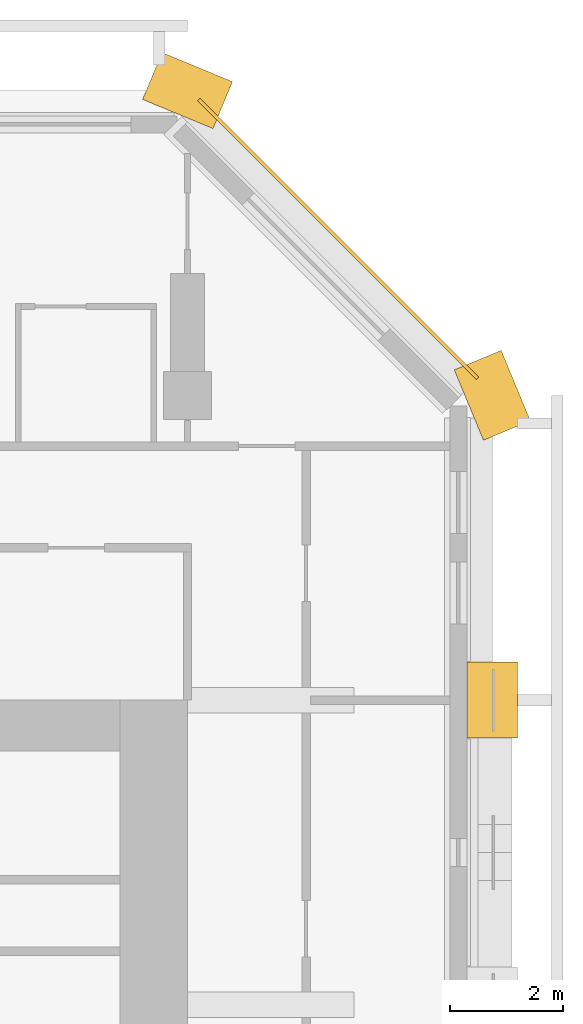
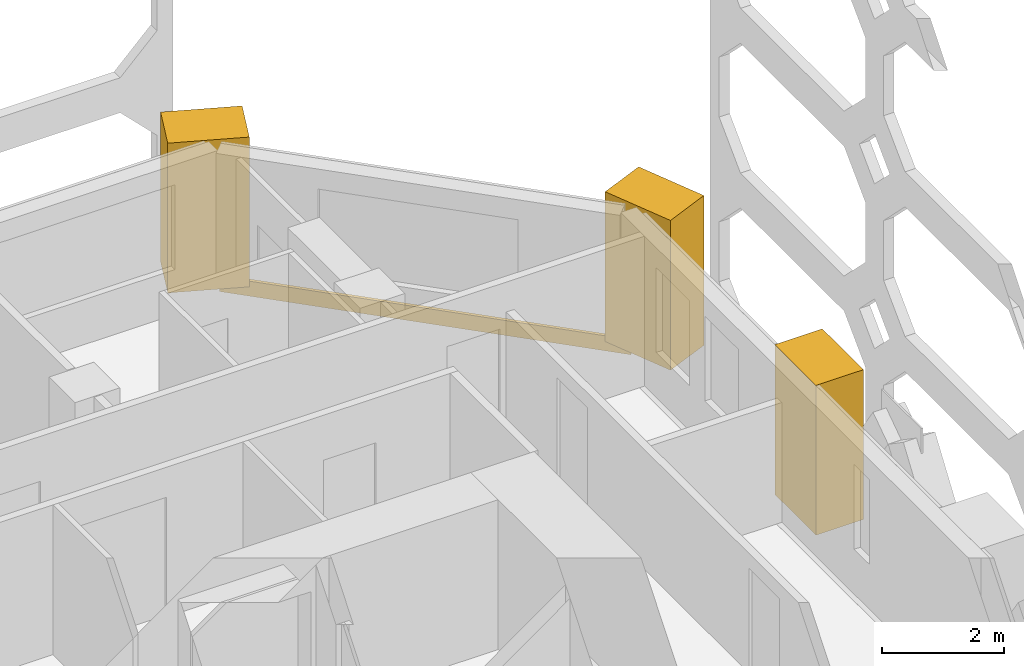
# One storey, part 16 of 16: 4 coverings.
"""IFC4 building model written with IfcOpenShell, lengths in metres."""

import ifcopenshell
import ifcopenshell.guid

model = None  # the IFC model being written
_history = None  # IfcOwnerHistory: only IFC2X3 demands one
_inside = {}  # id of a spatial element -> (the spatial element, [elements in it])
_under = {}  # id of a project, library or spatial element -> (it, [spatial elements below it])
_declared = {}  # id of a project -> (the project, [libraries it declares])
_typed = {}  # id of a type object -> (the type object, [elements of that type])
_made_of = {}  # id of a material, layer set ... -> (it, [elements and type objects made of it])


def new_model(schema):
    """Start an empty IFC model of exactly this schema.

    Asked for "IFC4X3", IfcOpenShell would pick the latest addendum, in which some entities
    have other attributes; the version numbers below select the first issue.
    IFC2X3 requires an IfcOwnerHistory on every rooted entity: one is made here for all.
    """
    global model, _history
    if schema == "IFC4X3":
        model = ifcopenshell.file(schema_version=(4, 3, 0, 0))
    else:
        model = ifcopenshell.file(schema=schema)
    _inside.clear()
    _under.clear()
    _declared.clear()
    _typed.clear()
    _made_of.clear()
    _history = None
    if model.schema == "IFC2X3":
        org = make("IfcOrganization", Name="unknown")
        user = make(
            "IfcPersonAndOrganization",
            ThePerson=make("IfcPerson", FamilyName="unknown"),
            TheOrganization=org,
        )
        app = make(
            "IfcApplication",
            ApplicationDeveloper=org,
            Version="unknown",
            ApplicationFullName="unknown",
            ApplicationIdentifier="unknown",
        )
        _history = make(
            "IfcOwnerHistory",
            OwningUser=user,
            OwningApplication=app,
            ChangeAction="ADDED",
            CreationDate=0,
        )
    return model


def make(cls, **values):
    """One entity of the class cls with the attributes given. An attribute that is None is left unset."""
    return model.create_entity(
        cls, **{name: value for name, value in values.items() if value is not None}
    )


def rooted(cls, **values):
    """An entity with a GlobalId (a new one), such as an element, a storey or a relation."""
    return make(cls, GlobalId=ifcopenshell.guid.new(), OwnerHistory=_history, **values)


def si_unit(unit_type, name, prefix=None):
    """IfcSIUnit, for example si_unit("LENGTHUNIT", "METRE", prefix="MILLI")."""
    return make("IfcSIUnit", UnitType=unit_type, Prefix=prefix, Name=name)


def assignment(units):
    """IfcUnitAssignment: the units of a project."""
    return None if units is None else make("IfcUnitAssignment", Units=units)


def point(xyz):
    """IfcCartesianPoint."""
    return None if xyz is None else make("IfcCartesianPoint", Coordinates=xyz)


def direction(xyz):
    """IfcDirection."""
    return None if xyz is None else make("IfcDirection", DirectionRatios=xyz)


def frame(location, z_axis=None, x_axis=None):
    """IfcAxis2Placement3D, a coordinate frame: its origin and axes. An axis left out is left unset."""
    return make(
        "IfcAxis2Placement3D",
        Location=point(location),
        Axis=direction(z_axis),
        RefDirection=direction(x_axis),
    )


def frame_2d(location, x_axis=None):
    """IfcAxis2Placement2D, a coordinate frame in the plane: its origin and x axis."""
    return make(
        "IfcAxis2Placement2D", Location=point(location), RefDirection=direction(x_axis)
    )


def origin():
    """The frame at (0, 0, 0) with its axes left unset."""
    return frame((0.0, 0.0, 0.0))


def place(relative_to, where):
    """IfcLocalPlacement: puts the frame where relative to a parent placement (None: the world)."""
    return make(
        "IfcLocalPlacement", PlacementRelTo=relative_to, RelativePlacement=where
    )


def context(
    kind, dimensions, precision=None, world=None, true_north=None, identifier=None
):
    """IfcGeometricRepresentationContext, for example the 3D "Model" context."""
    return make(
        "IfcGeometricRepresentationContext",
        ContextIdentifier=identifier,
        ContextType=kind,
        CoordinateSpaceDimension=dimensions,
        Precision=precision,
        WorldCoordinateSystem=world,
        TrueNorth=true_north,
    )


def subcontext(parent, identifier, kind, view, scale=None):
    """IfcGeometricRepresentationSubContext, for example "Body" below "Model"."""
    return make(
        "IfcGeometricRepresentationSubContext",
        ContextIdentifier=identifier,
        ContextType=kind,
        ParentContext=parent,
        TargetScale=scale,
        TargetView=view,
    )


def project(units=None, contexts=None):
    """IfcProject with its units and contexts."""
    return rooted(
        "IfcProject",
        Name="project",
        RepresentationContexts=contexts,
        UnitsInContext=assignment(units),
    )


def spatial(cls, under=None, at=None, **own):
    """A site, building, storey or space (cls), placed at a placement, below another one or the project."""
    s = rooted(cls, ObjectPlacement=at, **own)
    if under is not None:
        _under.setdefault(under.id(), (under, []))[1].append(s)
    return s


def profile(cls, at=None, kind="AREA", **sizes):
    """A parametric profile (cls). Its sizes go by their IFC names, for example OverallWidth=200.0."""
    return make(cls, ProfileType=kind, Position=at, **sizes)


def rectangle(**sizes):
    """IfcRectangleProfileDef."""
    return profile("IfcRectangleProfileDef", **sizes)


def extrude(swept, where, along, depth):
    """IfcExtrudedAreaSolid: the profile swept, set in the frame where, extruded along a direction by depth."""
    return make(
        "IfcExtrudedAreaSolid",
        SweptArea=swept,
        Position=where,
        ExtrudedDirection=direction(along),
        Depth=depth,
    )


def shape(context_of_items, identifier, shape_type, items):
    """IfcShapeRepresentation: the items that make up one representation, for example the "Body"."""
    return make(
        "IfcShapeRepresentation",
        ContextOfItems=context_of_items,
        RepresentationIdentifier=identifier,
        RepresentationType=shape_type,
        Items=items,
    )


def material(Name=None, Category=None):
    """IfcMaterial."""
    return make("IfcMaterial", Name=Name, Category=Category)


def layer(
    of_material, thickness, ventilated=None, Name=None, Category=None, Priority=None
):
    """IfcMaterialLayer: one layer of a wall or slab, of a material (None: an air gap)."""
    return make(
        "IfcMaterialLayer",
        Material=of_material,
        LayerThickness=thickness,
        IsVentilated=ventilated,
        Name=Name,
        Category=Category,
        Priority=Priority,
    )


def layer_set(layers, Name=None):
    """IfcMaterialLayerSet."""
    return make("IfcMaterialLayerSet", MaterialLayers=layers, LayerSetName=Name)


def made_of(thing, what):
    """Note that an element or type object is made of a material, layer set ...; save() writes the relation."""
    if what is not None:
        _made_of.setdefault(what.id(), (what, []))[1].append(thing)
    return thing


def type_object(cls, material=None, **own):
    """A type object (cls), such as IfcWallType, which elements share."""
    return made_of(rooted(cls, **own), material)


def element(
    cls,
    number,
    at=None,
    inside=None,
    cuts=None,
    type_object=None,
    material=None,
    context=None,
    identifier="Body",
    shape_type=None,
    held_by="IfcProductDefinitionShape",
    body=None,
    shapes=None,
    **own,
):
    """One element of the class cls, such as IfcWall. Its Tag is "e" and its number.

    at: its placement. inside: the storey or other place that contains it. cuts: it is an
    opening in that element (IfcRelVoidsElement). A single representation is given by context,
    identifier, shape_type and body (its items); several are given by shapes. held_by: the class
    of the entity that holds the representations. save() writes the other relations.
    """
    e = rooted(cls, Tag="e%d" % number, ObjectPlacement=at, **own)
    if body is not None:
        shapes = [shape(context, identifier, shape_type, body)]
    if shapes is not None:
        e.Representation = make(held_by, Representations=shapes)
    if inside is not None:
        _inside.setdefault(inside.id(), (inside, []))[1].append(e)
    if cuts is not None:
        rooted(
            "IfcRelVoidsElement", RelatingBuildingElement=cuts, RelatedOpeningElement=e
        )
    if type_object is not None:
        _typed.setdefault(type_object.id(), (type_object, []))[1].append(e)
    return made_of(e, material)


def aggregate(whole, parts):
    """IfcRelAggregates: a whole, such as a stair, and the parts it consists of."""
    return rooted("IfcRelAggregates", RelatingObject=whole, RelatedObjects=parts)


def save(model, path):
    """Write the relations noted so far, then the file.

    IfcRelAggregates (storeys below a building ...), IfcRelContainedInSpatialStructure (elements
    in a storey), IfcRelDefinesByType, IfcRelAssociatesMaterial and IfcRelDeclares: one each for
    every whole, place, type object, material and project.
    """
    for whole, parts in _under.values():
        aggregate(whole, parts)
    for where, things in _inside.values():
        rooted(
            "IfcRelContainedInSpatialStructure",
            RelatedElements=things,
            RelatingStructure=where,
        )
    for kind, things in _typed.values():
        rooted("IfcRelDefinesByType", RelatedObjects=things, RelatingType=kind)
    for what, things in _made_of.values():
        rooted("IfcRelAssociatesMaterial", RelatedObjects=things, RelatingMaterial=what)
    for by, libraries in _declared.values():
        rooted("IfcRelDeclares", RelatingContext=by, RelatedDefinitions=libraries)
    model.write(path)


model = new_model("IFC4")

# Units and contexts
model_context = context("Model", 3, precision=1e-05, world=origin(), true_north=direction((0.0, 1.0)))
body_context = subcontext(model_context, "Body", "Model", "MODEL_VIEW")
ifc_project = project(units=[si_unit("LENGTHUNIT", "METRE"), si_unit("AREAUNIT", "SQUARE_METRE"), si_unit("VOLUMEUNIT", "CUBIC_METRE"), si_unit("PLANEANGLEUNIT", "RADIAN"), si_unit("MASSUNIT", "GRAM", prefix="KILO")], contexts=[model_context])

# Site, building, storey
site_placement = place(None, origin())
site = spatial("IfcSite", under=ifc_project, at=site_placement, CompositionType="ELEMENT")
building_placement = place(site_placement, origin())
building = spatial("IfcBuilding", under=site, at=building_placement, Name="Tabaq Tower and Sports Hall", CompositionType="ELEMENT")
storey_placement = place(building_placement, frame((0.0, 0.0, 152.800048828125)))
storey = spatial("IfcBuildingStorey", under=building, at=storey_placement, Name="L35", CompositionType="ELEMENT", Elevation=152.800048828125)

# Coverings
ifc_material_1 = material(Name="Precast concrete C60/75", Category="concrete")
ifc_layer = layer(ifc_material_1, 0.06005859375)
ifc_layer_set = layer_set([ifc_layer], Name="Edge beam cladding 60")
covering_type_1 = type_object("IfcCoveringType", Name="Edge beam cladding 60", PredefinedType="CLADDING", material=ifc_layer_set)
covering_1_placement = place(storey_placement, frame((48.3369140625, 38.10546875, -0.300048828125), z_axis=(0.0, 0.0, 1.0), x_axis=(-0.707106781187, 0.707106781187, 0.0)))
element("IfcCovering", 1, at=covering_1_placement, inside=storey, type_object=covering_type_1, Name="Edge beam cladding L35 5", PredefinedType="CLADDING", context=body_context, shape_type="SweptSolid", body=[
    extrude(rectangle(XDim=6.98486328125, YDim=0.06005859375, at=frame_2d((3.492431640625, 0.0))), origin(), (0.0, 0.0, 1.0), 0.300048828125),
])
ifc_material_2 = material(Name="White precast concrete C60/75", Category="concrete")
covering_type_2 = type_object("IfcCoveringType", Name="Pier cladding hung 1350x900", PredefinedType="CLADDING", material=ifc_material_2)
covering_2_placement = place(storey_placement, frame((43.82373046875, 42.941650390625, 0.0), z_axis=(0.0, 0.0, 1.0), x_axis=(-0.923893411637, 0.382649923473, 0.0)))
element("IfcCovering", 2, at=covering_2_placement, inside=storey, type_object=covering_type_2, Name="Hung pier cladding 8/8", PredefinedType="CLADDING", context=body_context, shape_type="SweptSolid", body=[
    extrude(rectangle(XDim=1.35009765625, YDim=0.89990234375, at=frame_2d((0.675048828125, 0.0))), origin(), (0.0, 0.0, 1.0), 3.0),
])
covering_3_placement = place(storey_placement, frame((48.60009765625, 31.72509765625, 0.0), z_axis=(0.0, 0.0, 1.0), x_axis=(0.0, 1.0, 0.0)))
element("IfcCovering", 3, at=covering_3_placement, inside=storey, type_object=covering_type_2, Name="Hung pier cladding 9/6", PredefinedType="CLADDING", context=body_context, shape_type="SweptSolid", body=[
    extrude(rectangle(XDim=1.349853515625, YDim=0.89990234375, at=frame_2d((0.6748046875, 0.0))), origin(), (0.0, 0.0, 1.0), 3.0),
])
covering_4_placement = place(storey_placement, frame((48.8583984375, 37.17626953125, 0.0), z_axis=(0.0, 0.0, 1.0), x_axis=(-0.382649923473, 0.923893411637, 0.0)))
element("IfcCovering", 4, at=covering_4_placement, inside=storey, type_object=covering_type_2, Name="Hung pier cladding 9/7", PredefinedType="CLADDING", context=body_context, shape_type="SweptSolid", body=[
    extrude(rectangle(XDim=1.35009765625, YDim=0.89990234375, at=frame_2d((0.675048828125, 0.0))), origin(), (0.0, 0.0, 1.0), 3.0),
])

save(model, "model.ifc")
